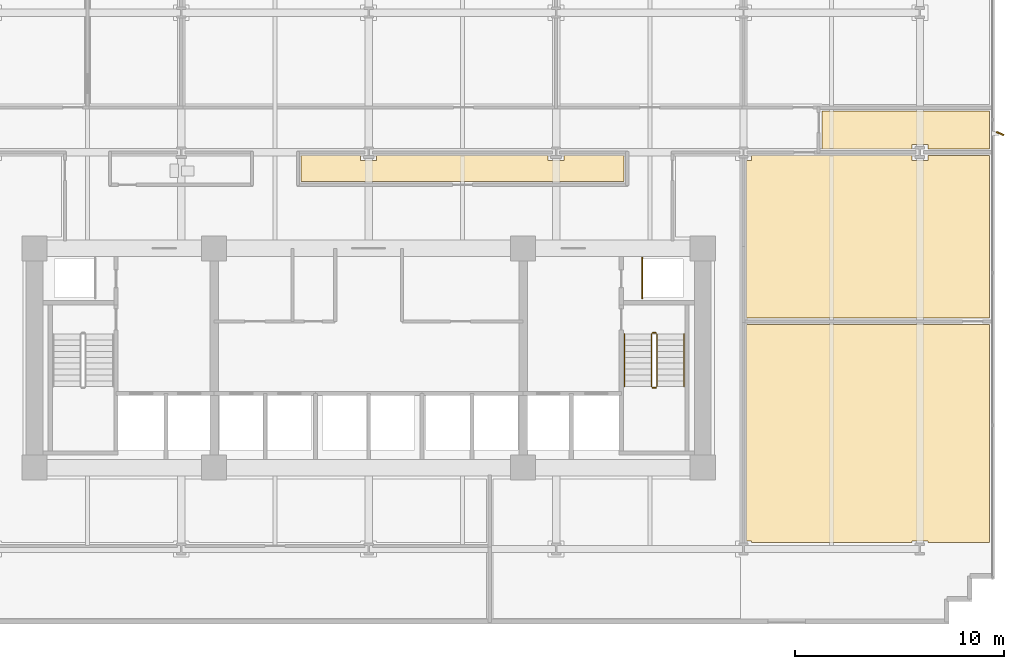
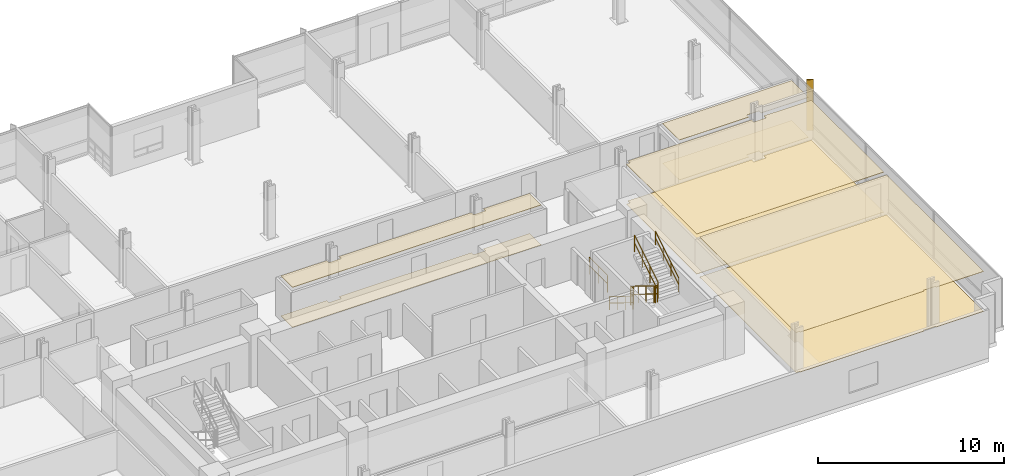
# One storey, part 18 of 21: 8 coverings, 7 railings, 1 shading device.
"""IFC4 building model written with IfcOpenShell, lengths in metres."""

from ifc_helpers import new_model, si_unit, direction, frame, origin, origin_2d, place, context, subcontext, project, spatial, polyline, rectangle, circle, outline, extrude, material, layer, layer_set, type_object, element, save


model = new_model("IFC4")

# Units and contexts
model_context = context("Model", 3, precision=1e-05, world=origin(), true_north=direction((0.0, 1.0)))
body_context = subcontext(model_context, "Body", "Model", "MODEL_VIEW")
ifc_project = project(units=[si_unit("LENGTHUNIT", "METRE"), si_unit("AREAUNIT", "SQUARE_METRE"), si_unit("VOLUMEUNIT", "CUBIC_METRE"), si_unit("PLANEANGLEUNIT", "RADIAN"), si_unit("MASSUNIT", "GRAM", prefix="KILO")], contexts=[model_context])

# Site, building, storey
site_placement = place(None, origin())
site = spatial("IfcSite", under=ifc_project, at=site_placement, CompositionType="ELEMENT")
building_placement = place(site_placement, origin())
building = spatial("IfcBuilding", under=site, at=building_placement, Name="Solmavex Isthmus Hotel", CompositionType="ELEMENT")
storey_placement = place(building_placement, frame((0.0, 0.0, 60.89990234375)))
storey = spatial("IfcBuildingStorey", under=building, at=storey_placement, Name="L16", CompositionType="ELEMENT", Elevation=60.89990234375)

# Coverings
ifc_material_1 = material(Name="Gypsum plasterboard lining", Category="gypsum")
ifc_layer_1 = layer(ifc_material_1, 0.030029296875)
ifc_layer_set_1 = layer_set([ifc_layer_1], Name="Gypsum plasterboard lining")
covering_type_1 = type_object("IfcCoveringType", Name="COV-CEIL-GYP", PredefinedType="CEILING", material=ifc_layer_set_1)
covering_1_placement = place(storey_placement, frame((0.0, 0.0, 2.6201171875)))
element("IfcCovering", 1, at=covering_1_placement, inside=storey, type_object=covering_type_1, Name="Suspended Acoustic Ceiling L16-FL08", PredefinedType="CEILING", context=body_context, shape_type="SweptSolid", body=[
    extrude(outline(polyline([(26.02001953125, 2.2548828125), (26.02001953125, 2.47998046875), (26.780029296875, 2.47998046875), (26.780029296875, 2.2548828125), (29.72509765625, 2.2548828125), (29.72509765625, 4.074951171875), (21.70703125, 4.074951171875), (21.70703125, 2.2548828125), (26.02001953125, 2.2548828125)])), origin(), (0.0, 0.0, 1.0), 0.030029296875),
])
covering_2_placement = place(storey_placement, frame((0.0, 0.0, 2.6201171875)))
element("IfcCovering", 2, at=covering_2_placement, inside=storey, type_object=covering_type_1, Name="Suspended Acoustic Ceiling L16-FL09", PredefinedType="CEILING", context=body_context, shape_type="SweptSolid", body=[
    extrude(outline(polyline([(0.3798828125, 1.945068359375), (0.3798828125, 1.719970703125), (-0.3798828125, 1.719970703125), (-0.3798828125, 1.945068359375), (-3.23291015625, 1.945068359375), (-3.23291015625, 0.705078125), (12.22900390625, 0.705078125), (12.22900390625, 1.945068359375), (9.35595703125, 1.945068359375), (9.35595703125, 1.719970703125), (8.595947265625, 1.719970703125), (8.595947265625, 1.945068359375), (0.3798828125, 1.945068359375)])), origin(), (0.0, 0.0, 1.0), 0.030029296875),
])
covering_3_placement = place(storey_placement, frame((0.0, 0.0, 2.6201171875)))
element("IfcCovering", 3, at=covering_3_placement, inside=storey, type_object=covering_type_1, Name="Suspended Acoustic Ceiling L16-FL11", PredefinedType="CEILING", context=body_context, shape_type="SweptSolid", body=[
    extrude(outline(polyline([(18.33203125, 1.945068359375), (18.33203125, 1.719970703125), (18.10693359375, 1.719970703125), (18.10693359375, -5.844970703125), (29.72509765625, -5.844970703125), (29.72509765625, 1.945068359375), (26.780029296875, 1.945068359375), (26.780029296875, 1.719970703125), (26.02001953125, 1.719970703125), (26.02001953125, 1.945068359375), (18.33203125, 1.945068359375)])), origin(), (0.0, 0.0, 1.0), 0.030029296875),
])
covering_4_placement = place(storey_placement, frame((0.0, 0.0, 2.6201171875)))
element("IfcCovering", 4, at=covering_4_placement, inside=storey, type_object=covering_type_1, Name="Suspended Acoustic Ceiling L16-FL16", PredefinedType="CEILING", context=body_context, shape_type="SweptSolid", body=[
    extrude(outline(polyline([(18.10693359375, -16.52001953125), (18.33203125, -16.52001953125), (18.33203125, -16.594970703125), (26.02001953125, -16.594970703125), (26.02001953125, -16.52001953125), (26.780029296875, -16.52001953125), (26.780029296875, -16.594970703125), (29.72509765625, -16.594970703125), (29.72509765625, -6.155029296875), (18.10693359375, -6.155029296875), (18.10693359375, -16.52001953125)])), origin(), (0.0, 0.0, 1.0), 0.030029296875),
])
ifc_material_2 = material(Name="Travertine natural stone", Category="masonry")
ifc_layer_2 = layer(ifc_material_2, 0.02490234375)
ifc_layer_set_2 = layer_set([ifc_layer_2], Name="Travertine natural stone")
covering_type_2 = type_object("IfcCoveringType", Name="COV-FLOR-STN", PredefinedType="FLOORING", material=ifc_layer_set_2)
covering_5_placement = place(storey_placement, origin())
element("IfcCovering", 5, at=covering_5_placement, inside=storey, type_object=covering_type_2, Name="Stone and Timber Floor Finish L16-FL08", PredefinedType="FLOORING", context=body_context, shape_type="SweptSolid", body=[
    extrude(outline(polyline([(26.02001953125, 2.2548828125), (26.02001953125, 2.47998046875), (26.780029296875, 2.47998046875), (26.780029296875, 2.2548828125), (29.72509765625, 2.2548828125), (29.72509765625, 4.074951171875), (21.70703125, 4.074951171875), (21.70703125, 2.2548828125), (26.02001953125, 2.2548828125)])), origin(), (0.0, 0.0, 1.0), 0.025146484375),
])
covering_6_placement = place(storey_placement, origin())
element("IfcCovering", 6, at=covering_6_placement, inside=storey, type_object=covering_type_2, Name="Stone and Timber Floor Finish L16-FL09", PredefinedType="FLOORING", context=body_context, shape_type="SweptSolid", body=[
    extrude(outline(polyline([(0.3798828125, 1.945068359375), (0.3798828125, 1.719970703125), (-0.3798828125, 1.719970703125), (-0.3798828125, 1.945068359375), (-3.23291015625, 1.945068359375), (-3.23291015625, 0.705078125), (12.22900390625, 0.705078125), (12.22900390625, 1.945068359375), (9.35595703125, 1.945068359375), (9.35595703125, 1.719970703125), (8.595947265625, 1.719970703125), (8.595947265625, 1.945068359375), (0.3798828125, 1.945068359375)])), origin(), (0.0, 0.0, 1.0), 0.025146484375),
])
covering_7_placement = place(storey_placement, origin())
element("IfcCovering", 7, at=covering_7_placement, inside=storey, type_object=covering_type_2, Name="Stone and Timber Floor Finish L16-FL11", PredefinedType="FLOORING", context=body_context, shape_type="SweptSolid", body=[
    extrude(outline(polyline([(18.33203125, 1.945068359375), (18.33203125, 1.719970703125), (18.10693359375, 1.719970703125), (18.10693359375, -5.844970703125), (29.72509765625, -5.844970703125), (29.72509765625, 1.945068359375), (26.780029296875, 1.945068359375), (26.780029296875, 1.719970703125), (26.02001953125, 1.719970703125), (26.02001953125, 1.945068359375), (18.33203125, 1.945068359375)])), origin(), (0.0, 0.0, 1.0), 0.025146484375),
])
covering_8_placement = place(storey_placement, origin())
element("IfcCovering", 8, at=covering_8_placement, inside=storey, type_object=covering_type_2, Name="Stone and Timber Floor Finish L16-FL16", PredefinedType="FLOORING", context=body_context, shape_type="SweptSolid", body=[
    extrude(outline(polyline([(18.10693359375, -16.52001953125), (18.33203125, -16.52001953125), (18.33203125, -16.594970703125), (26.02001953125, -16.594970703125), (26.02001953125, -16.52001953125), (26.780029296875, -16.52001953125), (26.780029296875, -16.594970703125), (29.72509765625, -16.594970703125), (29.72509765625, -6.155029296875), (18.10693359375, -6.155029296875), (18.10693359375, -16.52001953125)])), origin(), (0.0, 0.0, 1.0), 0.025146484375),
])

# Railings
ifc_material_3 = material(Name="Clear low-E laminated glass", Category="glass")
ifc_layer_3 = layer(ifc_material_3, 0.080078125)
ifc_layer_set_3 = layer_set([ifc_layer_3], Name="Clear low-E laminated glass")
railing_type_1 = type_object("IfcRailingType", Name="RAIL-ATRIUM-1120", PredefinedType="BALUSTRADE", material=ifc_layer_set_3)
railing_1_placement = place(storey_placement, frame((13.10009765625, -4.89990234375, 0.0)))
element("IfcRailing", 9, at=railing_1_placement, inside=storey, type_object=railing_type_1, Name="Guardrail Balustrade L16-RSE-01", PredefinedType="BALUSTRADE", context=body_context, shape_type="SweptSolid", body=[
    extrude(circle(Radius=0.02392578125, at=origin_2d()), frame((0.0, 0.0, 1.1259765625), z_axis=(0.0, 1.0, 0.0), x_axis=(-1.0, 0.0, 0.0)), (0.0, 0.0, 1.0), 1.949951171875),
    extrude(circle(Radius=0.02392578125, at=origin_2d()), frame((0.0, 0.0, 0.574951171875), z_axis=(0.0, 1.0, 0.0), x_axis=(-1.0, 0.0, 0.0)), (0.0, 0.0, 1.0), 1.949951171875),
    extrude(circle(Radius=0.02099609375, at=origin_2d()), origin(), (0.0, 0.0, 1.0), 1.101806640625),
    extrude(circle(Radius=0.02099609375, at=origin_2d()), frame((0.0, 0.97509765625, 0.0)), (0.0, 0.0, 1.0), 1.101806640625),
    extrude(circle(Radius=0.02099609375, at=origin_2d()), frame((0.0, 1.949951171875, 0.0)), (0.0, 0.0, 1.0), 1.101806640625),
])
ifc_material_4 = material(Name="Stainless steel 316", Category="steel")
ifc_layer_4 = layer(ifc_material_4, 0.06005859375)
ifc_layer_set_4 = layer_set([ifc_layer_4], Name="Stainless steel 316")
railing_type_2 = type_object("IfcRailingType", Name="RAIL-STAIR-GD", PredefinedType="GUARDRAIL", material=ifc_layer_set_4)
railing_2_placement = place(storey_placement, frame((13.550048828125, -6.60009765625, 0.172607421875)))
element("IfcRailing", 10, at=railing_2_placement, inside=storey, type_object=railing_type_2, Name="L16 ST-2 stair guard 1", PredefinedType="GUARDRAIL", context=body_context, shape_type="SweptSolid", body=[
    extrude(circle(Radius=0.02392578125, at=origin_2d()), frame((0.0, 0.0, 1.09619140625), z_axis=(0.0, -0.851400495292, 0.524516154772), x_axis=(1.0, 0.0, 0.0)), (0.0, 0.0, 1.0), 2.9599609375),
    extrude(circle(Radius=0.02392578125, at=origin_2d()), frame((0.0, 0.0, 0.56005859375), z_axis=(0.0, -0.851400495292, 0.524516154772), x_axis=(1.0, 0.0, 0.0)), (0.0, 0.0, 1.0), 2.9599609375),
    extrude(circle(Radius=0.02099609375, at=origin_2d()), origin(), (0.0, 0.0, 1.0), 1.072021484375),
    extrude(circle(Radius=0.02099609375, at=origin_2d()), frame((0.0, -0.840087890625, 0.517578125)), (0.0, 0.0, 1.0), 1.072021484375),
    extrude(circle(Radius=0.02099609375, at=origin_2d()), frame((0.0, -1.679931640625, 1.034912109375)), (0.0, 0.0, 1.0), 1.072021484375),
    extrude(circle(Radius=0.02099609375, at=origin_2d()), frame((0.0, -2.52001953125, 1.552490234375)), (0.0, 0.0, 1.0), 1.072021484375),
])
railing_3_placement = place(storey_placement, frame((13.60009765625, -9.169921875, 1.72509765625)))
element("IfcRailing", 11, at=railing_3_placement, inside=storey, type_object=railing_type_2, Name="L16 ST-2 stair guard 2", PredefinedType="GUARDRAIL", context=body_context, shape_type="SweptSolid", body=[
    extrude(circle(Radius=0.02392578125, at=origin_2d()), frame((0.0, 0.0, 1.09619140625), z_axis=(1.0, 0.0, 0.0), x_axis=(0.0, 1.0, 0.0)), (0.0, 0.0, 1.0), 0.14990234375),
    extrude(circle(Radius=0.02392578125, at=origin_2d()), frame((0.0, 0.0, 0.56005859375), z_axis=(1.0, 0.0, 0.0), x_axis=(0.0, 1.0, 0.0)), (0.0, 0.0, 1.0), 0.14990234375),
    extrude(circle(Radius=0.02099609375, at=origin_2d()), origin(), (0.0, 0.0, 1.0), 1.072021484375),
    extrude(circle(Radius=0.02099609375, at=origin_2d()), frame((0.14990234375, 0.0, 0.0)), (0.0, 0.0, 1.0), 1.072021484375),
])
railing_4_placement = place(storey_placement, frame((13.800048828125, -9.1201171875, 1.897705078125)))
element("IfcRailing", 12, at=railing_4_placement, inside=storey, type_object=railing_type_2, Name="L16 ST-2 stair guard 3", PredefinedType="GUARDRAIL", context=body_context, shape_type="SweptSolid", body=[
    extrude(circle(Radius=0.02392578125, at=origin_2d()), frame((0.0, 0.0, 1.09619140625), z_axis=(0.0, 0.851400495292, 0.524516154772), x_axis=(-1.0, 0.0, 0.0)), (0.0, 0.0, 1.0), 2.9599609375),
    extrude(circle(Radius=0.02392578125, at=origin_2d()), frame((0.0, 0.0, 0.56005859375), z_axis=(0.0, 0.851400495292, 0.524516154772), x_axis=(-1.0, 0.0, 0.0)), (0.0, 0.0, 1.0), 2.9599609375),
    extrude(circle(Radius=0.02099609375, at=origin_2d()), origin(), (0.0, 0.0, 1.0), 1.072021484375),
    extrude(circle(Radius=0.02099609375, at=origin_2d()), frame((0.0, 0.840087890625, 0.517578125)), (0.0, 0.0, 1.0), 1.072021484375),
    extrude(circle(Radius=0.02099609375, at=origin_2d()), frame((0.0, 1.679931640625, 1.034912109375)), (0.0, 0.0, 1.0), 1.072021484375),
    extrude(circle(Radius=0.02099609375, at=origin_2d()), frame((0.0, 2.52001953125, 1.552490234375)), (0.0, 0.0, 1.0), 1.072021484375),
])
railing_5_placement = place(storey_placement, frame((13.60009765625, -6.550048828125, 0.0)))
element("IfcRailing", 13, at=railing_5_placement, inside=storey, type_object=railing_type_2, Name="L16 ST-2 stair guard 4", PredefinedType="GUARDRAIL", context=body_context, shape_type="SweptSolid", body=[
    extrude(circle(Radius=0.02392578125, at=origin_2d()), frame((0.0, 0.0, 1.09619140625), z_axis=(1.0, 0.0, 0.0), x_axis=(0.0, 1.0, 0.0)), (0.0, 0.0, 1.0), 0.14990234375),
    extrude(circle(Radius=0.02392578125, at=origin_2d()), frame((0.0, 0.0, 0.56005859375), z_axis=(1.0, 0.0, 0.0), x_axis=(0.0, 1.0, 0.0)), (0.0, 0.0, 1.0), 0.14990234375),
    extrude(circle(Radius=0.02099609375, at=origin_2d()), origin(), (0.0, 0.0, 1.0), 1.072021484375),
    extrude(circle(Radius=0.02099609375, at=origin_2d()), frame((0.14990234375, 0.0, 0.0)), (0.0, 0.0, 1.0), 1.072021484375),
])
ifc_layer_5 = layer(ifc_material_4, 0.050048828125)
ifc_layer_set_5 = layer_set([ifc_layer_5], Name="Stainless steel 316")
railing_type_3 = type_object("IfcRailingType", Name="RAIL-STAIR-HR", PredefinedType="HANDRAIL", material=ifc_layer_set_5)
railing_6_placement = place(storey_placement, frame((12.25, -6.60009765625, 0.172607421875)))
element("IfcRailing", 14, at=railing_6_placement, inside=storey, type_object=railing_type_3, Name="L16 ST-2 stair handrail 1", PredefinedType="HANDRAIL", context=body_context, shape_type="SweptSolid", body=[
    extrude(circle(Radius=0.02392578125, at=origin_2d()), frame((0.0, 0.0, 0.8759765625), z_axis=(0.0, -0.851400495292, 0.524516154772), x_axis=(1.0, 0.0, 0.0)), (0.0, 0.0, 1.0), 2.9599609375),
    extrude(circle(Radius=0.02392578125, at=origin_2d()), frame((0.0, 0.0, 0.449951171875), z_axis=(0.0, -0.851400495292, 0.524516154772), x_axis=(1.0, 0.0, 0.0)), (0.0, 0.0, 1.0), 2.9599609375),
    extrude(circle(Radius=0.02099609375, at=origin_2d()), origin(), (0.0, 0.0, 1.0), 0.851806640625),
    extrude(circle(Radius=0.02099609375, at=origin_2d()), frame((0.0, -0.840087890625, 0.517578125)), (0.0, 0.0, 1.0), 0.851806640625),
    extrude(circle(Radius=0.02099609375, at=origin_2d()), frame((0.0, -1.679931640625, 1.034912109375)), (0.0, 0.0, 1.0), 0.851806640625),
    extrude(circle(Radius=0.02099609375, at=origin_2d()), frame((0.0, -2.52001953125, 1.552490234375)), (0.0, 0.0, 1.0), 0.851806640625),
])
railing_7_placement = place(storey_placement, frame((15.10009765625, -9.1201171875, 1.897705078125)))
element("IfcRailing", 15, at=railing_7_placement, inside=storey, type_object=railing_type_3, Name="L16 ST-2 stair handrail 2", PredefinedType="HANDRAIL", context=body_context, shape_type="SweptSolid", body=[
    extrude(circle(Radius=0.02392578125, at=origin_2d()), frame((0.0, 0.0, 0.8759765625), z_axis=(0.0, 0.851400495292, 0.524516154772), x_axis=(-1.0, 0.0, 0.0)), (0.0, 0.0, 1.0), 2.9599609375),
    extrude(circle(Radius=0.02392578125, at=origin_2d()), frame((0.0, 0.0, 0.449951171875), z_axis=(0.0, 0.851400495292, 0.524516154772), x_axis=(-1.0, 0.0, 0.0)), (0.0, 0.0, 1.0), 2.9599609375),
    extrude(circle(Radius=0.02099609375, at=origin_2d()), origin(), (0.0, 0.0, 1.0), 0.851806640625),
    extrude(circle(Radius=0.02099609375, at=origin_2d()), frame((0.0, 0.840087890625, 0.517578125)), (0.0, 0.0, 1.0), 0.851806640625),
    extrude(circle(Radius=0.02099609375, at=origin_2d()), frame((0.0, 1.679931640625, 1.034912109375)), (0.0, 0.0, 1.0), 0.851806640625),
    extrude(circle(Radius=0.02099609375, at=origin_2d()), frame((0.0, 2.52001953125, 1.552490234375)), (0.0, 0.0, 1.0), 0.851806640625),
])

# Shading device
ifc_material_5 = material(Name="Aluminium alloy 6063-T6", Category="aluminium")
shading_device_type = type_object("IfcShadingDeviceType", Name="SHD-FIN-CHAMP", PredefinedType="USERDEFINED", material=ifc_material_5)
shading_device_placement = place(storey_placement, frame((30.239990234375, 3.0, -0.139892578125), z_axis=(0.0, 0.0, 1.0), x_axis=(0.913545457643, -0.406736643076, 0.0)))
element("IfcShadingDevice", 16, at=shading_device_placement, inside=storey, type_object=shading_device_type, Name="Anodised Aluminium Solar Fin L16-E1", ObjectType="SOLAR_FIN", PredefinedType="USERDEFINED", context=body_context, shape_type="SweptSolid", body=[
    extrude(rectangle(XDim=0.3798828125, YDim=0.070068359375, at=origin_2d()), origin(), (0.0, 0.0, 1.0), 3.330078125),
])

save(model, "model.ifc")
